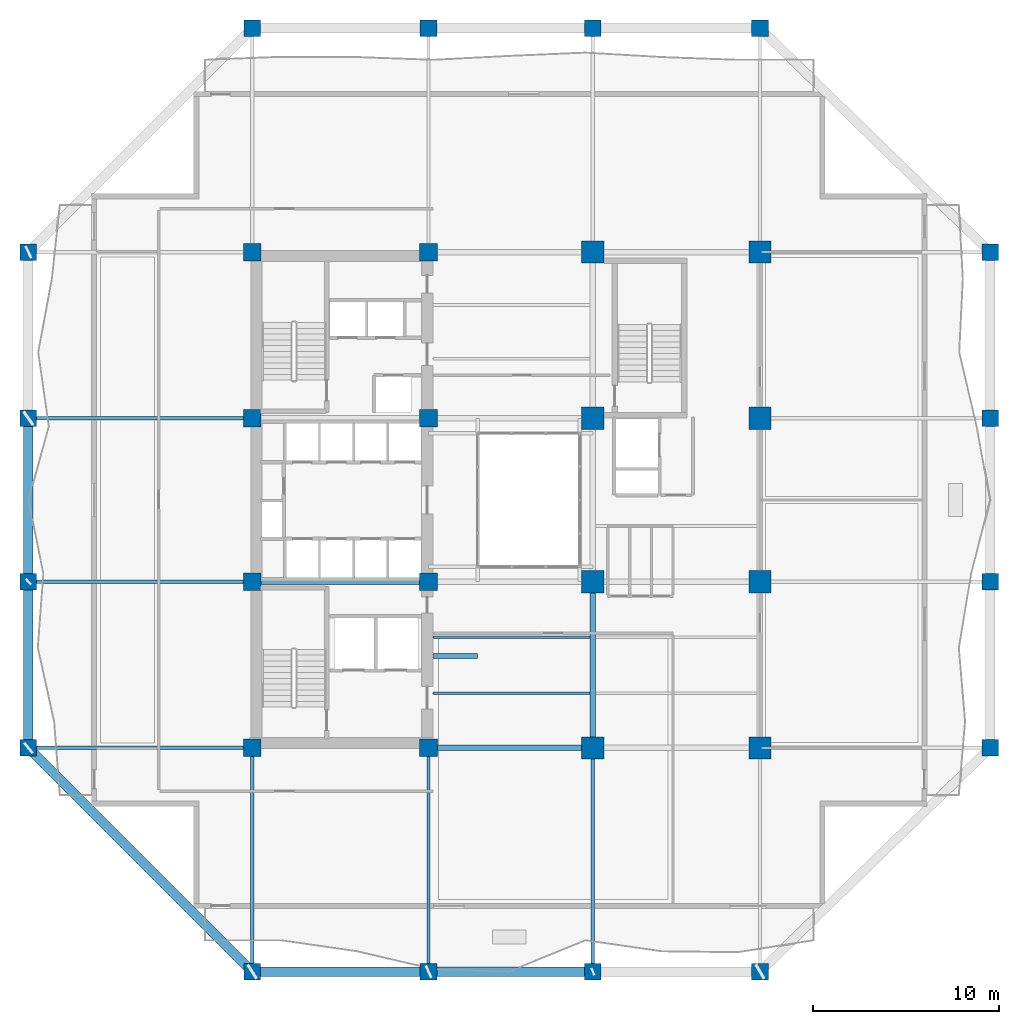
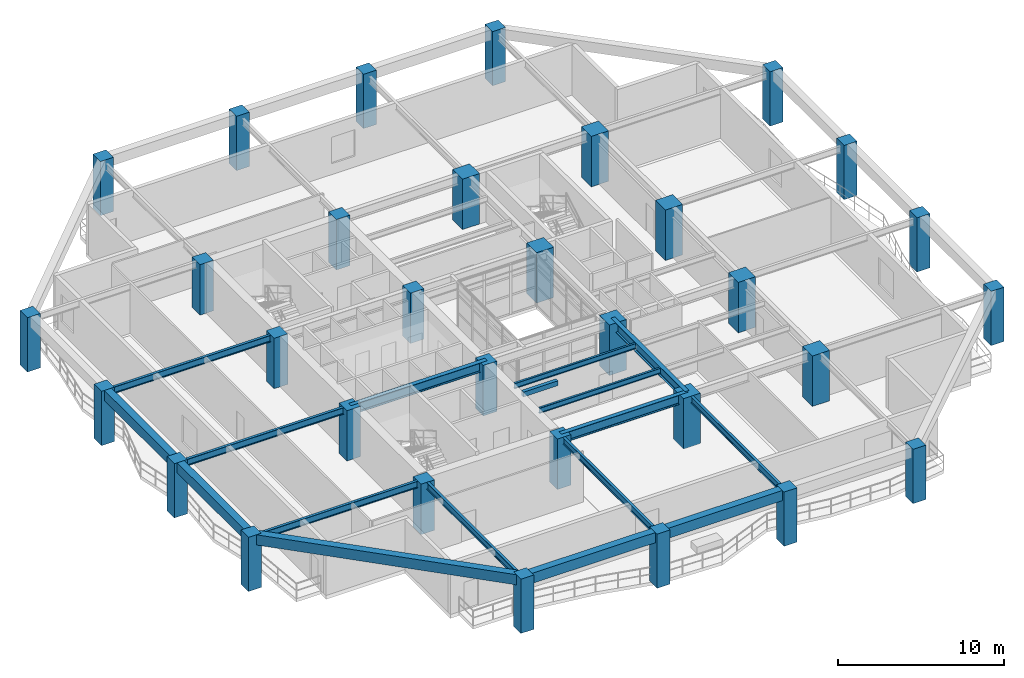
# One storey, part 1 of 17: 32 columns, 17 beams.
"""IFC4 building model written with IfcOpenShell, lengths in metres."""

from ifc_helpers import new_model, si_unit, direction, frame, origin, origin_2d, place, context, subcontext, project, spatial, rectangle, i_section, extrude, material, material_profile, profile_set, type_object, element, save


model = new_model("IFC4")

# Units and contexts
model_context = context("Model", 3, precision=1e-05, world=origin(), true_north=direction((0.0, 1.0)))
body_context = subcontext(model_context, "Body", "Model", "MODEL_VIEW")
ifc_project = project(units=[si_unit("LENGTHUNIT", "METRE"), si_unit("AREAUNIT", "SQUARE_METRE"), si_unit("VOLUMEUNIT", "CUBIC_METRE"), si_unit("PLANEANGLEUNIT", "RADIAN"), si_unit("MASSUNIT", "GRAM", prefix="KILO")], contexts=[model_context])

# Site, building, storey
site_placement = place(None, origin())
site = spatial("IfcSite", under=ifc_project, at=site_placement, CompositionType="ELEMENT")
building_placement = place(site_placement, origin())
building = spatial("IfcBuilding", under=site, at=building_placement, Name="Kundavana Baori Tower", CompositionType="ELEMENT")
storey_placement = place(building_placement, frame((0.0, 0.0, 30.0)))
storey = spatial("IfcBuildingStorey", under=building, at=storey_placement, Name="L06", CompositionType="ELEMENT", Elevation=30.0)

# Columns
ifc_material_1 = material(Name="Concrete C60/75", Category="concrete")
ifc_material_profile_1 = material_profile(ifc_material_1, rectangle(XDim=0.89990234375, YDim=0.89990234375, at=origin_2d()), Name="RC PF 900x900")
ifc_profile_set_1 = profile_set([ifc_material_profile_1], Name="Concrete C60/75")
column_type_1 = type_object("IfcColumnType", Name="COL-PF-900", PredefinedType="COLUMN", material=ifc_profile_set_1)
for number, where, z_axis, x_axis, name in (
    (1, (15.449951171875, 3.199951171875, 0.0), (0.0, 0.0, 1.0), (1.0, 0.0, 0.0), "L06 Stone-Clad Perimeter Frame Column PF-S1"),
    (2, (15.449951171875, 54.0, 0.0), (0.0, 0.0, 1.0), (1.0, 0.0, 0.0), "L06 Stone-Clad Perimeter Frame Column PF-N1"),
    (3, (24.949951171875, 3.199951171875, 0.0), (0.0, 0.0, 1.0), (1.0, 0.0, 0.0), "L06 Stone-Clad Perimeter Frame Column PF-S2"),
    (4, (24.949951171875, 54.0, 0.0), (0.0, 0.0, 1.0), (1.0, 0.0, 0.0), "L06 Stone-Clad Perimeter Frame Column PF-N2"),
    (5, (33.800048828125, 3.199951171875, 0.0), (0.0, 0.0, 1.0), (1.0, 0.0, 0.0), "L06 Stone-Clad Perimeter Frame Column PF-S3"),
    (6, (33.800048828125, 54.0, 0.0), (0.0, 0.0, 1.0), (1.0, 0.0, 0.0), "L06 Stone-Clad Perimeter Frame Column PF-N3"),
    (7, (42.800048828125, 3.199951171875, 0.0), (0.0, 0.0, 1.0), (1.0, 0.0, 0.0), "L06 Stone-Clad Perimeter Frame Column PF-S4"),
    (8, (42.800048828125, 54.0, 0.0), (0.0, 0.0, 1.0), (1.0, 0.0, 0.0), "L06 Stone-Clad Perimeter Frame Column PF-N4"),
    (9, (3.39990234375, 15.25, 0.0), (0.0, 0.0, 1.0), (1.0, 0.0, 0.0), "L06 Stone-Clad Perimeter Frame Column PF-W1"),
    (10, (55.199951171875, 15.25, 0.0), (0.0, 0.0, 1.0), (1.0, 0.0, 0.0), "L06 Stone-Clad Perimeter Frame Column PF-E1"),
    (11, (3.39990234375, 24.199951171875, 0.0), (0.0, 0.0, 1.0), (1.0, 0.0, 0.0), "L06 Stone-Clad Perimeter Frame Column PF-W2"),
    (12, (55.199951171875, 24.199951171875, 0.0), (0.0, 0.0, 1.0), (1.0, 0.0, 0.0), "L06 Stone-Clad Perimeter Frame Column PF-E2"),
    (13, (3.39990234375, 33.0, 0.0), (0.0, 0.0, 1.0), (1.0, 0.0, 0.0), "L06 Stone-Clad Perimeter Frame Column PF-W3"),
    (14, (55.199951171875, 33.0, 0.0), (0.0, 0.0, 1.0), (1.0, 0.0, 0.0), "L06 Stone-Clad Perimeter Frame Column PF-E3"),
    (15, (3.39990234375, 41.949951171875, 0.0), (0.0, 0.0, 1.0), (1.0, 0.0, 0.0), "L06 Stone-Clad Perimeter Frame Column PF-W4"),
    (16, (55.199951171875, 41.949951171875, 0.0), (0.0, 0.0, 1.0), (1.0, 0.0, 0.0), "L06 Stone-Clad Perimeter Frame Column PF-E4"),
):
    element("IfcColumn", number, at=place(storey_placement, frame(where, z_axis=z_axis, x_axis=x_axis)), inside=storey, type_object=column_type_1, Name=name, PredefinedType="COLUMN", context=body_context, shape_type="SweptSolid", body=[
        extrude(rectangle(XDim=0.89990234375, YDim=0.89990234375, at=origin_2d()), origin(), (0.0, 0.0, 1.0), 4.0),
    ])
ifc_material_2 = material(Name="Concrete C60/75", Category="concrete")
ifc_material_profile_2 = material_profile(ifc_material_2, rectangle(XDim=1.199951171875, YDim=1.199951171875, at=origin_2d()), Name="RC 1200x1200")
ifc_profile_set_2 = profile_set([ifc_material_profile_2], Name="Concrete C60/75")
column_type_2 = type_object("IfcColumnType", Name="COL-RC-1200", PredefinedType="COLUMN", material=ifc_profile_set_2)
for number, where, z_axis, x_axis, name in (
    (17, (33.800048828125, 15.25, 0.0), (0.0, 0.0, 1.0), (1.0, 0.0, 0.0), "L06 Interior Column IC-5C"),
    (18, (33.800048828125, 24.199951171875, 0.0), (0.0, 0.0, 1.0), (1.0, 0.0, 0.0), "L06 Interior Column IC-5D"),
    (19, (33.800048828125, 33.0, 0.0), (0.0, 0.0, 1.0), (1.0, 0.0, 0.0), "L06 Interior Column IC-5E"),
    (20, (33.800048828125, 41.949951171875, 0.0), (0.0, 0.0, 1.0), (1.0, 0.0, 0.0), "L06 Interior Column IC-5F"),
    (21, (42.800048828125, 15.25, 0.0), (0.0, 0.0, 1.0), (1.0, 0.0, 0.0), "L06 Interior Column IC-6C"),
    (22, (42.800048828125, 24.199951171875, 0.0), (0.0, 0.0, 1.0), (1.0, 0.0, 0.0), "L06 Interior Column IC-6D"),
    (23, (42.800048828125, 33.0, 0.0), (0.0, 0.0, 1.0), (1.0, 0.0, 0.0), "L06 Interior Column IC-6E"),
    (24, (42.800048828125, 41.949951171875, 0.0), (0.0, 0.0, 1.0), (1.0, 0.0, 0.0), "L06 Interior Column IC-6F"),
):
    element("IfcColumn", number, at=place(storey_placement, frame(where, z_axis=z_axis, x_axis=x_axis)), inside=storey, type_object=column_type_2, Name=name, PredefinedType="COLUMN", context=body_context, shape_type="SweptSolid", body=[
        extrude(rectangle(XDim=1.199951171875, YDim=1.199951171875, at=origin_2d()), origin(), (0.0, 0.0, 1.0), 3.719970703125),
    ])
ifc_material_3 = material(Name="Concrete C50/60", Category="concrete")
ifc_material_profile_3 = material_profile(ifc_material_3, rectangle(XDim=0.949951171875, YDim=0.949951171875, at=origin_2d()), Name="RC 950x950")
ifc_profile_set_3 = profile_set([ifc_material_profile_3], Name="Concrete C50/60")
column_type_3 = type_object("IfcColumnType", Name="COL-RC-950", PredefinedType="COLUMN", material=ifc_profile_set_3)
for number, where, z_axis, x_axis, name in (
    (25, (15.449951171875, 15.25, 0.0), (0.0, 0.0, 1.0), (1.0, 0.0, 0.0), "L06 Interior Column IC-3C"),
    (26, (15.449951171875, 24.199951171875, 0.0), (0.0, 0.0, 1.0), (1.0, 0.0, 0.0), "L06 Interior Column IC-3D"),
    (27, (15.449951171875, 33.0, 0.0), (0.0, 0.0, 1.0), (1.0, 0.0, 0.0), "L06 Interior Column IC-3E"),
    (28, (15.449951171875, 41.949951171875, 0.0), (0.0, 0.0, 1.0), (1.0, 0.0, 0.0), "L06 Interior Column IC-3F"),
    (29, (24.949951171875, 15.25, 0.0), (0.0, 0.0, 1.0), (1.0, 0.0, 0.0), "L06 Interior Column IC-4C"),
    (30, (24.949951171875, 24.199951171875, 0.0), (0.0, 0.0, 1.0), (1.0, 0.0, 0.0), "L06 Interior Column IC-4D"),
    (31, (24.949951171875, 33.0, 0.0), (0.0, 0.0, 1.0), (1.0, 0.0, 0.0), "L06 Interior Column IC-4E"),
    (32, (24.949951171875, 41.949951171875, 0.0), (0.0, 0.0, 1.0), (1.0, 0.0, 0.0), "L06 Interior Column IC-4F"),
):
    element("IfcColumn", number, at=place(storey_placement, frame(where, z_axis=z_axis, x_axis=x_axis)), inside=storey, type_object=column_type_3, Name=name, PredefinedType="COLUMN", context=body_context, shape_type="SweptSolid", body=[
        extrude(rectangle(XDim=0.949951171875, YDim=0.949951171875, at=origin_2d()), origin(), (0.0, 0.0, 1.0), 3.719970703125),
    ])

# Beams
ifc_material_4 = material(Name="Structural Steel S355JR", Category="steel")
ifc_material_profile_4 = material_profile(ifc_material_4, i_section(OverallWidth=0.139892578125, OverallDepth=0.39990234375, WebThickness=0.0087890625, FlangeThickness=0.01611328125, FilletRadius=0.013916015625, at=origin_2d()), Name="ISMB 400")
ifc_profile_set_4 = profile_set([ifc_material_profile_4], Name="Structural Steel S355JR")
beam_type_1 = type_object("IfcBeamType", Name="BM-JST-400", PredefinedType="JOIST", material=ifc_profile_set_4)
for number, where, z_axis, x_axis, name in (
    (33, (25.179931640625, 18.199951171875, 3.52001953125), (1.0, 0.0, 0.0), (0.0, 1.0, 0.0), "L06 Central Bay Composite Floor Joist C1"),
    (34, (25.179931640625, 21.199951171875, 3.52001953125), (1.0, 0.0, 0.0), (0.0, 1.0, 0.0), "L06 Central Bay Composite Floor Joist C2"),
):
    element("IfcBeam", number, at=place(storey_placement, frame(where, z_axis=z_axis, x_axis=x_axis)), inside=storey, type_object=beam_type_1, Name=name, PredefinedType="JOIST", context=body_context, shape_type="SweptSolid", body=[
        extrude(i_section(OverallWidth=0.139892578125, OverallDepth=0.39990234375, WebThickness=0.0087890625, FlangeThickness=0.01611328125, FilletRadius=0.013916015625, at=origin_2d()), origin(), (0.0, 0.0, 1.0), 8.469970703125),
    ])
ifc_material_5 = material(Name="Concrete C40/50", Category="concrete")
ifc_material_profile_5 = material_profile(ifc_material_5, rectangle(XDim=0.25, YDim=0.35009765625, at=origin_2d()), Name="RC LNT 250x350")
ifc_profile_set_5 = profile_set([ifc_material_profile_5], Name="Concrete C40/50")
beam_type_2 = type_object("IfcBeamType", Name="BM-LNT-350", PredefinedType="LINTEL", material=ifc_profile_set_5)
beam_1_placement = place(storey_placement, frame((25.179931640625, 20.199951171875, 3.544921875), z_axis=(1.0, 0.0, 0.0), x_axis=(0.0, 1.0, 0.0)))
element("IfcBeam", 35, at=beam_1_placement, inside=storey, type_object=beam_type_2, Name="L06 Atrium Gallery Portal Lintel Beam", PredefinedType="LINTEL", context=body_context, shape_type="SweptSolid", body=[
    extrude(rectangle(XDim=0.25, YDim=0.35009765625, at=origin_2d()), origin(), (0.0, 0.0, 1.0), 2.420166015625),
])
ifc_material_6 = material(Name="Concrete C50/60", Category="concrete")
ifc_material_profile_6 = material_profile(ifc_material_6, rectangle(XDim=0.5, YDim=0.75, at=origin_2d()), Name="RC BM 500x750")
ifc_profile_set_6 = profile_set([ifc_material_profile_6], Name="Concrete C50/60")
beam_type_3 = type_object("IfcBeamType", Name="BM-PF-750", PredefinedType="SPANDREL", material=ifc_profile_set_6)
beam_2_placement = place(storey_placement, frame((15.449951171875, 3.199951171875, 3.625), z_axis=(1.0, 0.0, 0.0), x_axis=(0.0, 1.0, 0.0)))
element("IfcBeam", 36, at=beam_2_placement, inside=storey, type_object=beam_type_3, Name="L06 Perimeter Frame Ring Beam S1", PredefinedType="SPANDREL", context=body_context, shape_type="SweptSolid", body=[
    extrude(rectangle(XDim=0.5, YDim=0.75, at=origin_2d()), origin(), (0.0, 0.0, 1.0), 9.5),
])
beam_3_placement = place(storey_placement, frame((24.949951171875, 3.199951171875, 3.625), z_axis=(1.0, 0.0, 0.0), x_axis=(0.0, 1.0, 0.0)))
element("IfcBeam", 37, at=beam_3_placement, inside=storey, type_object=beam_type_3, Name="L06 Perimeter Frame Ring Beam S2", PredefinedType="SPANDREL", context=body_context, shape_type="SweptSolid", body=[
    extrude(rectangle(XDim=0.5, YDim=0.75, at=origin_2d()), origin(), (0.0, 0.0, 1.0), 8.85009765625),
])
beam_4_placement = place(storey_placement, frame((3.39990234375, 15.25, 3.625), z_axis=(0.0, 1.0, 0.0), x_axis=(-1.0, 0.0, 0.0)))
element("IfcBeam", 38, at=beam_4_placement, inside=storey, type_object=beam_type_3, Name="L06 Perimeter Frame Ring Beam W1", PredefinedType="SPANDREL", context=body_context, shape_type="SweptSolid", body=[
    extrude(rectangle(XDim=0.5, YDim=0.75, at=origin_2d()), origin(), (0.0, 0.0, 1.0), 8.949951171875),
])
beam_5_placement = place(storey_placement, frame((3.39990234375, 24.199951171875, 3.625), z_axis=(0.0, 1.0, 0.0), x_axis=(-1.0, 0.0, 0.0)))
element("IfcBeam", 39, at=beam_5_placement, inside=storey, type_object=beam_type_3, Name="L06 Perimeter Frame Ring Beam W2", PredefinedType="SPANDREL", context=body_context, shape_type="SweptSolid", body=[
    extrude(rectangle(XDim=0.5, YDim=0.75, at=origin_2d()), origin(), (0.0, 0.0, 1.0), 8.800048828125),
])
beam_6_placement = place(storey_placement, frame((15.449951171875, 3.199951171875, 3.625), z_axis=(-0.707106781187, 0.707106781187, 0.0), x_axis=(-0.707106781187, -0.707106781187, 0.0)))
element("IfcBeam", 40, at=beam_6_placement, inside=storey, type_object=beam_type_3, Name="L06 Notched Corner Perimeter Beam SW", PredefinedType="SPANDREL", context=body_context, shape_type="SweptSolid", body=[
    extrude(rectangle(XDim=0.5, YDim=0.75, at=origin_2d()), origin(), (0.0, 0.0, 1.0), 17.041259765625),
])
ifc_material_7 = material(Name="Structural Steel S355JR", Category="steel")
ifc_material_profile_7 = material_profile(ifc_material_7, i_section(OverallWidth=0.300048828125, OverallDepth=0.699951171875, WebThickness=0.014404296875, FlangeThickness=0.02392578125, FilletRadius=0.02392578125, at=origin_2d()), Name="NPB 700x300x170")
ifc_profile_set_7 = profile_set([ifc_material_profile_7], Name="Structural Steel S355JR")
beam_type_4 = type_object("IfcBeamType", Name="BM-ST-700", PredefinedType="BEAM", material=ifc_profile_set_7)
beam_7_placement = place(storey_placement, frame((24.949951171875, 15.25, 3.3701171875), z_axis=(1.0, 0.0, 0.0), x_axis=(0.0, 1.0, 0.0)))
element("IfcBeam", 41, at=beam_7_placement, inside=storey, type_object=beam_type_4, Name="L06 Primary Grid Girder GX-1-2", PredefinedType="BEAM", context=body_context, shape_type="SweptSolid", body=[
    extrude(i_section(OverallWidth=0.300048828125, OverallDepth=0.699951171875, WebThickness=0.014404296875, FlangeThickness=0.02392578125, FilletRadius=0.02392578125, at=origin_2d()), origin(), (0.0, 0.0, 1.0), 8.85009765625),
])
beam_8_placement = place(storey_placement, frame((15.449951171875, 24.199951171875, 3.3701171875), z_axis=(1.0, 0.0, 0.0), x_axis=(0.0, 1.0, 0.0)))
element("IfcBeam", 42, at=beam_8_placement, inside=storey, type_object=beam_type_4, Name="L06 Primary Grid Girder GX-2-1", PredefinedType="BEAM", context=body_context, shape_type="SweptSolid", body=[
    extrude(i_section(OverallWidth=0.300048828125, OverallDepth=0.699951171875, WebThickness=0.014404296875, FlangeThickness=0.02392578125, FilletRadius=0.02392578125, at=origin_2d()), origin(), (0.0, 0.0, 1.0), 9.5),
])
beam_9_placement = place(storey_placement, frame((33.800048828125, 15.25, 3.3701171875), z_axis=(0.0, 1.0, 0.0), x_axis=(-1.0, 0.0, 0.0)))
element("IfcBeam", 43, at=beam_9_placement, inside=storey, type_object=beam_type_4, Name="L06 Primary Grid Girder GY-3-1", PredefinedType="BEAM", context=body_context, shape_type="SweptSolid", body=[
    extrude(i_section(OverallWidth=0.300048828125, OverallDepth=0.699951171875, WebThickness=0.014404296875, FlangeThickness=0.02392578125, FilletRadius=0.02392578125, at=origin_2d()), origin(), (0.0, 0.0, 1.0), 8.949951171875),
])
ifc_material_8 = material(Name="Structural Steel S355JR", Category="steel")
ifc_material_profile_8 = material_profile(ifc_material_8, i_section(OverallWidth=0.179931640625, OverallDepth=0.5, WebThickness=0.01025390625, FlangeThickness=0.01708984375, FilletRadius=0.01708984375, at=origin_2d()), Name="ISMB 500")
ifc_profile_set_8 = profile_set([ifc_material_profile_8], Name="Structural Steel S355JR")
beam_type_5 = type_object("IfcBeamType", Name="BM-TIE-500", PredefinedType="BEAM", material=ifc_profile_set_8)
for number, where, z_axis, x_axis, name in (
    (44, (15.449951171875, 15.25, 3.469970703125), (0.0, -1.0, 0.0), (1.0, 0.0, 0.0), "L06 South Radial Loggia Tie Beam S1"),
    (45, (24.949951171875, 15.25, 3.469970703125), (0.0, -1.0, 0.0), (1.0, 0.0, 0.0), "L06 South Radial Loggia Tie Beam S2"),
    (46, (33.800048828125, 15.25, 3.469970703125), (0.0, -1.0, 0.0), (1.0, 0.0, 0.0), "L06 South Radial Loggia Tie Beam S3"),
    (47, (15.449951171875, 15.25, 3.469970703125), (-1.0, 0.0, 0.0), (0.0, -1.0, 0.0), "L06 West Radial Loggia Tie Beam W1"),
    (48, (15.449951171875, 24.199951171875, 3.469970703125), (-1.0, 0.0, 0.0), (0.0, -1.0, 0.0), "L06 West Radial Loggia Tie Beam W2"),
    (49, (15.449951171875, 33.0, 3.469970703125), (-1.0, 0.0, 0.0), (0.0, -1.0, 0.0), "L06 West Radial Loggia Tie Beam W3"),
):
    element("IfcBeam", number, at=place(storey_placement, frame(where, z_axis=z_axis, x_axis=x_axis)), inside=storey, type_object=beam_type_5, Name=name, PredefinedType="BEAM", context=body_context, shape_type="SweptSolid", body=[
        extrude(i_section(OverallWidth=0.179931640625, OverallDepth=0.5, WebThickness=0.01025390625, FlangeThickness=0.01708984375, FilletRadius=0.01708984375, at=origin_2d()), origin(), (0.0, 0.0, 1.0), 12.050048828125),
    ])

save(model, "model.ifc")
